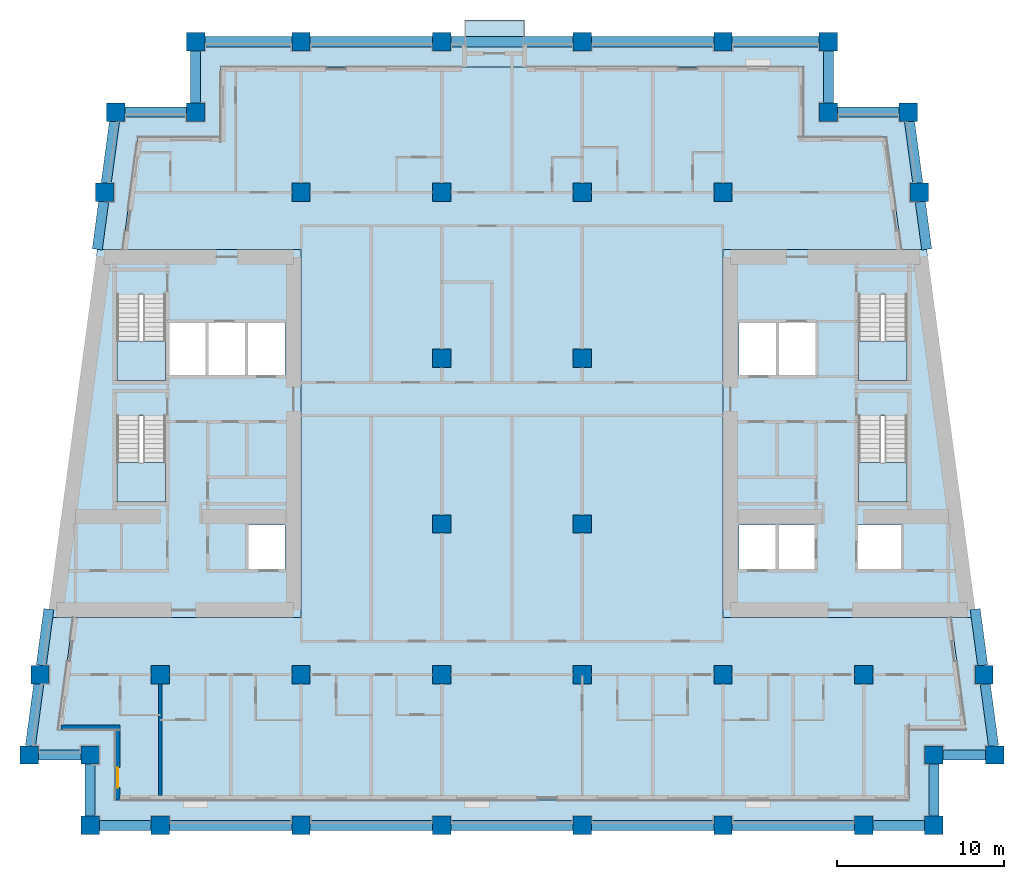
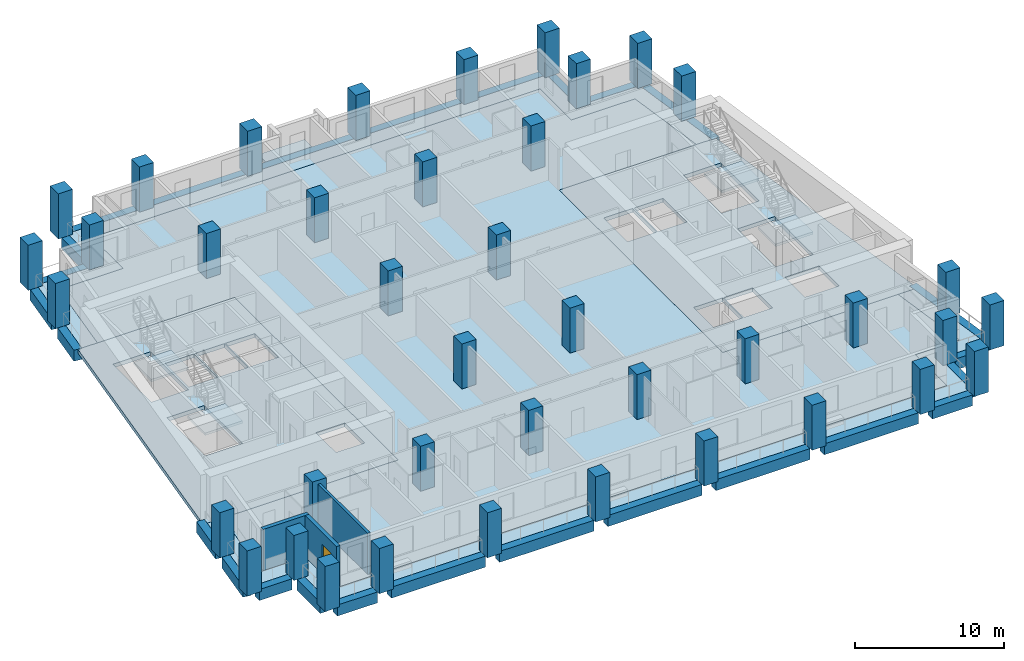
# One storey, part 1 of 13: 40 columns, 28 beams, 10 slabs, 3 walls, 1 door, 1 opening, 4 elements without a shape of their own.
"""IFC4 building model written with IfcOpenShell, lengths in metres."""

from ifc_helpers import new_model, si_unit, direction, frame, frame_2d, origin, origin_2d, place, context, subcontext, project, spatial, polyline, rectangle, outline, extrude, material, layer, layer_set, material_profile, profile_set, type_object, element, fill, aggregate, save


model = new_model("IFC4")

# Units and contexts
model_context = context("Model", 3, precision=1e-05, world=origin(), true_north=direction((0.0, 1.0)))
body_context = subcontext(model_context, "Body", "Model", "MODEL_VIEW")
ifc_project = project(units=[si_unit("LENGTHUNIT", "METRE"), si_unit("AREAUNIT", "SQUARE_METRE"), si_unit("VOLUMEUNIT", "CUBIC_METRE"), si_unit("PLANEANGLEUNIT", "RADIAN"), si_unit("MASSUNIT", "GRAM", prefix="KILO")], contexts=[model_context])

# Site, building, storey
site_placement = place(None, origin())
site = spatial("IfcSite", under=ifc_project, at=site_placement, CompositionType="ELEMENT")
building_placement = place(site_placement, origin())
building = spatial("IfcBuilding", under=site, at=building_placement, Name="Candeia Pilgrim Tower and Theatre", CompositionType="ELEMENT")
storey_placement = place(building_placement, frame((0.0, 0.0, 177.39990234375)))
storey = spatial("IfcBuildingStorey", under=building, at=storey_placement, Name="L42", CompositionType="ELEMENT", Elevation=177.39990234375)

# Columns
ifc_material_1 = material(Name="Concrete C60/75", Category="concrete")
ifc_material_profile_1 = material_profile(ifc_material_1, rectangle(XDim=1.10009765625, YDim=1.10009765625, at=origin_2d()))
ifc_profile_set_1 = profile_set([ifc_material_profile_1], Name="Concrete C60/75")
column_type = type_object("IfcColumnType", Name="RC 1100x1100 C60/75", PredefinedType="COLUMN", material=ifc_profile_set_1)
for number, where, z_axis, x_axis, name in (
    (1, (92.39990234375, 98.0, 0.0), (0.0, 0.0, 1.0), (1.0, 0.0, 0.0), "Column A1"),
    (2, (100.800048828125, 98.0, 0.0), (0.0, 0.0, 1.0), (1.0, 0.0, 0.0), "Column A2"),
    (3, (109.199951171875, 98.0, 0.0), (0.0, 0.0, 1.0), (1.0, 0.0, 0.0), "Column A3"),
    (4, (117.60009765625, 98.0, 0.0), (0.0, 0.0, 1.0), (1.0, 0.0, 0.0), "Column A4"),
    (5, (126.0, 98.0, 0.0), (0.0, 0.0, 1.0), (1.0, 0.0, 0.0), "Column A5"),
    (6, (134.39990234375, 98.0, 0.0), (0.0, 0.0, 1.0), (1.0, 0.0, 0.0), "Column A6"),
    (7, (88.199951171875, 98.0, 0.0), (0.0, 0.0, 1.0), (1.0, 0.0, 0.0), "Column AW"),
    (8, (138.60009765625, 98.0, 0.0), (0.0, 0.0, 1.0), (1.0, 0.0, 0.0), "Column AE"),
    (9, (88.199951171875, 102.199951171875, 0.0), (0.0, 0.0, 1.0), (1.0, 0.0, 0.0), "Column NSW"),
    (10, (138.60009765625, 102.199951171875, 0.0), (0.0, 0.0, 1.0), (1.0, 0.0, 0.0), "Column NSE"),
    (11, (94.5, 140.60009765625, 0.0), (0.0, 0.0, 1.0), (1.0, 0.0, 0.0), "Column NNW"),
    (12, (132.300048828125, 140.60009765625, 0.0), (0.0, 0.0, 1.0), (1.0, 0.0, 0.0), "Column NNE"),
    (13, (84.5654296875, 102.199951171875, 0.0), (0.0, 0.0, 1.0), (1.0, 0.0, 0.0), "Column LSW"),
    (14, (142.234619140625, 102.199951171875, 0.0), (0.0, 0.0, 1.0), (1.0, 0.0, 0.0), "Column LSE"),
    (15, (89.734619140625, 140.60009765625, 0.0), (0.0, 0.0, 1.0), (1.0, 0.0, 0.0), "Column LNW"),
    (16, (137.0654296875, 140.60009765625, 0.0), (0.0, 0.0, 1.0), (1.0, 0.0, 0.0), "Column LNE"),
    (17, (92.39990234375, 107.0, 0.0), (0.0, 0.0, 1.0), (1.0, 0.0, 0.0), "Column B1"),
    (18, (100.800048828125, 107.0, 0.0), (0.0, 0.0, 1.0), (1.0, 0.0, 0.0), "Column B2"),
    (19, (109.199951171875, 107.0, 0.0), (0.0, 0.0, 1.0), (1.0, 0.0, 0.0), "Column B3"),
    (20, (117.60009765625, 107.0, 0.0), (0.0, 0.0, 1.0), (1.0, 0.0, 0.0), "Column B4"),
    (21, (126.0, 107.0, 0.0), (0.0, 0.0, 1.0), (1.0, 0.0, 0.0), "Column B5"),
    (22, (134.39990234375, 107.0, 0.0), (0.0, 0.0, 1.0), (1.0, 0.0, 0.0), "Column B6"),
    (23, (85.21142578125, 107.0, 0.0), (0.0, 0.0, 1.0), (1.0, 0.0, 0.0), "Column BW"),
    (24, (141.58837890625, 107.0, 0.0), (0.0, 0.0, 1.0), (1.0, 0.0, 0.0), "Column BE"),
    (25, (109.199951171875, 116.0, 0.0), (0.0, 0.0, 1.0), (1.0, 0.0, 0.0), "Column C3"),
    (26, (117.60009765625, 116.0, 0.0), (0.0, 0.0, 1.0), (1.0, 0.0, 0.0), "Column C4"),
    (27, (109.199951171875, 125.89990234375, 0.0), (0.0, 0.0, 1.0), (1.0, 0.0, 0.0), "Column D3"),
    (28, (117.60009765625, 125.89990234375, 0.0), (0.0, 0.0, 1.0), (1.0, 0.0, 0.0), "Column D4"),
    (29, (100.800048828125, 135.800048828125, 0.0), (0.0, 0.0, 1.0), (1.0, 0.0, 0.0), "Column E2"),
    (30, (109.199951171875, 135.800048828125, 0.0), (0.0, 0.0, 1.0), (1.0, 0.0, 0.0), "Column E3"),
    (31, (117.60009765625, 135.800048828125, 0.0), (0.0, 0.0, 1.0), (1.0, 0.0, 0.0), "Column E4"),
    (32, (126.0, 135.800048828125, 0.0), (0.0, 0.0, 1.0), (1.0, 0.0, 0.0), "Column E5"),
    (33, (89.08837890625, 135.800048828125, 0.0), (0.0, 0.0, 1.0), (1.0, 0.0, 0.0), "Column EW"),
    (34, (137.71142578125, 135.800048828125, 0.0), (0.0, 0.0, 1.0), (1.0, 0.0, 0.0), "Column EE"),
    (35, (100.800048828125, 144.800048828125, 0.0), (0.0, 0.0, 1.0), (1.0, 0.0, 0.0), "Column F2"),
    (36, (109.199951171875, 144.800048828125, 0.0), (0.0, 0.0, 1.0), (1.0, 0.0, 0.0), "Column F3"),
    (37, (117.60009765625, 144.800048828125, 0.0), (0.0, 0.0, 1.0), (1.0, 0.0, 0.0), "Column F4"),
    (38, (126.0, 144.800048828125, 0.0), (0.0, 0.0, 1.0), (1.0, 0.0, 0.0), "Column F5"),
    (39, (94.5, 144.800048828125, 0.0), (0.0, 0.0, 1.0), (1.0, 0.0, 0.0), "Column FW"),
    (40, (132.300048828125, 144.800048828125, 0.0), (0.0, 0.0, 1.0), (1.0, 0.0, 0.0), "Column FE"),
):
    element("IfcColumn", number, at=place(storey_placement, frame(where, z_axis=z_axis, x_axis=x_axis)), inside=storey, type_object=column_type, Name=name, PredefinedType="COLUMN", context=body_context, shape_type="SweptSolid", body=[
        extrude(rectangle(XDim=1.10009765625, YDim=1.10009765625, at=origin_2d()), origin(), (0.0, 0.0, 1.0), 3.7001953125),
    ])

# Beams
ifc_material_profile_2 = material_profile(ifc_material_1, rectangle(XDim=0.60009765625, YDim=0.89990234375, at=origin_2d()))
ifc_profile_set_2 = profile_set([ifc_material_profile_2], Name="Concrete C60/75")
beam_type = type_object("IfcBeamType", Name="RC 600x900 C60/75", PredefinedType="BEAM", material=ifc_profile_set_2)
beam_1_placement = place(storey_placement, frame((88.75, 98.0, -0.449951171875), z_axis=(1.0, 0.0, 0.0), x_axis=(0.0, 1.0, 0.0)))
element("IfcBeam", 41, at=beam_1_placement, inside=storey, type_object=beam_type, Name="Spandrel beam L42-01", PredefinedType="BEAM", context=body_context, shape_type="SweptSolid", body=[
    extrude(rectangle(XDim=0.60009765625, YDim=0.89990234375, at=origin_2d()), origin(), (0.0, 0.0, 1.0), 3.10009765625),
])
beam_2_placement = place(storey_placement, frame((92.949951171875, 98.0, -0.449951171875), z_axis=(1.0, 0.0, 0.0), x_axis=(0.0, 1.0, 0.0)))
element("IfcBeam", 42, at=beam_2_placement, inside=storey, type_object=beam_type, Name="Spandrel beam L42-02", PredefinedType="BEAM", context=body_context, shape_type="SweptSolid", body=[
    extrude(rectangle(XDim=0.60009765625, YDim=0.89990234375, at=origin_2d()), origin(), (0.0, 0.0, 1.0), 7.300048828125),
])
beam_3_placement = place(storey_placement, frame((101.35009765625, 98.0, -0.449951171875), z_axis=(1.0, 0.0, 0.0), x_axis=(0.0, 1.0, 0.0)))
element("IfcBeam", 43, at=beam_3_placement, inside=storey, type_object=beam_type, Name="Spandrel beam L42-03", PredefinedType="BEAM", context=body_context, shape_type="SweptSolid", body=[
    extrude(rectangle(XDim=0.60009765625, YDim=0.89990234375, at=origin_2d()), origin(), (0.0, 0.0, 1.0), 7.2998046875),
])
for number, where, z_axis, x_axis, name in (
    (44, (109.75, 98.0, -0.449951171875), (1.0, 0.0, 0.0), (0.0, 1.0, 0.0), "Spandrel beam L42-04"),
    (45, (118.14990234375, 98.0, -0.449951171875), (1.0, 0.0, 0.0), (0.0, 1.0, 0.0), "Spandrel beam L42-05"),
    (46, (126.550048828125, 98.0, -0.449951171875), (1.0, 0.0, 0.0), (0.0, 1.0, 0.0), "Spandrel beam L42-06"),
):
    element("IfcBeam", number, at=place(storey_placement, frame(where, z_axis=z_axis, x_axis=x_axis)), inside=storey, type_object=beam_type, Name=name, PredefinedType="BEAM", context=body_context, shape_type="SweptSolid", body=[
        extrude(rectangle(XDim=0.60009765625, YDim=0.89990234375, at=origin_2d()), origin(), (0.0, 0.0, 1.0), 7.300048828125),
    ])
beam_4_placement = place(storey_placement, frame((134.949951171875, 98.0, -0.449951171875), z_axis=(1.0, 0.0, 0.0), x_axis=(0.0, 1.0, 0.0)))
element("IfcBeam", 47, at=beam_4_placement, inside=storey, type_object=beam_type, Name="Spandrel beam L42-07", PredefinedType="BEAM", context=body_context, shape_type="SweptSolid", body=[
    extrude(rectangle(XDim=0.60009765625, YDim=0.89990234375, at=origin_2d()), origin(), (0.0, 0.0, 1.0), 3.10009765625),
])
beam_5_placement = place(storey_placement, frame((138.60009765625, 98.550048828125, -0.449951171875), z_axis=(0.0, 1.0, 0.0), x_axis=(-1.0, 0.0, 0.0)))
element("IfcBeam", 48, at=beam_5_placement, inside=storey, type_object=beam_type, Name="Spandrel beam L42-08", PredefinedType="BEAM", context=body_context, shape_type="SweptSolid", body=[
    extrude(rectangle(XDim=0.60009765625, YDim=0.89990234375, at=origin_2d()), origin(), (0.0, 0.0, 1.0), 3.099853515625),
])
beam_6_placement = place(storey_placement, frame((139.14990234375, 102.199951171875, -0.449951171875), z_axis=(1.0, 0.0, 0.0), x_axis=(0.0, 1.0, 0.0)))
element("IfcBeam", 49, at=beam_6_placement, inside=storey, type_object=beam_type, Name="Spandrel beam L42-09", PredefinedType="BEAM", context=body_context, shape_type="SweptSolid", body=[
    extrude(rectangle(XDim=0.60009765625, YDim=0.89990234375, at=origin_2d()), origin(), (0.0, 0.0, 1.0), 2.53466796875),
])
beam_7_placement = place(storey_placement, frame((142.16064453125, 102.75, -0.449951171875), z_axis=(-0.133405836075, 0.991061492997, 0.0), x_axis=(-0.991061492997, -0.133405836075, 0.0)))
element("IfcBeam", 50, at=beam_7_placement, inside=storey, type_object=beam_type, Name="Spandrel beam L42-10", PredefinedType="BEAM", context=body_context, shape_type="SweptSolid", body=[
    extrude(rectangle(XDim=0.60009765625, YDim=0.89990234375, at=origin_2d()), origin(), (0.0, 0.0, 1.0), 3.7333984375),
])
beam_8_placement = place(storey_placement, frame((141.514404296875, 107.550048828125, -0.449951171875), z_axis=(-0.133432414187, 0.99105791498, 0.0), x_axis=(-0.99105791498, -0.133432414187, 0.0)))
element("IfcBeam", 51, at=beam_8_placement, inside=storey, type_object=beam_type, Name="Spandrel beam L42-11", PredefinedType="BEAM", context=body_context, shape_type="SweptSolid", body=[
    extrude(rectangle(XDim=0.60009765625, YDim=0.89990234375, at=origin_2d()), origin(), (0.0, 0.0, 1.0), 3.390380859375),
])
beam_9_placement = place(storey_placement, frame((138.169189453125, 132.39990234375, -0.449951171875), z_axis=(-0.133370319951, 0.99106627314, 0.0), x_axis=(-0.99106627314, -0.133370319951, 0.0)))
element("IfcBeam", 52, at=beam_9_placement, inside=storey, type_object=beam_type, Name="Spandrel beam L42-12", PredefinedType="BEAM", context=body_context, shape_type="SweptSolid", body=[
    extrude(rectangle(XDim=0.60009765625, YDim=0.89990234375, at=origin_2d()), origin(), (0.0, 0.0, 1.0), 2.875732421875),
])
beam_10_placement = place(storey_placement, frame((137.637451171875, 136.35009765625, -0.449951171875), z_axis=(-0.133405836075, 0.991061492997, 0.0), x_axis=(-0.991061492997, -0.133405836075, 0.0)))
element("IfcBeam", 53, at=beam_10_placement, inside=storey, type_object=beam_type, Name="Spandrel beam L42-13", PredefinedType="BEAM", context=body_context, shape_type="SweptSolid", body=[
    extrude(rectangle(XDim=0.60009765625, YDim=0.89990234375, at=origin_2d()), origin(), (0.0, 0.0, 1.0), 3.7333984375),
])
beam_11_placement = place(storey_placement, frame((136.515380859375, 140.60009765625, -0.449951171875), z_axis=(-1.0, 0.0, 0.0), x_axis=(0.0, -1.0, 0.0)))
element("IfcBeam", 54, at=beam_11_placement, inside=storey, type_object=beam_type, Name="Spandrel beam L42-14", PredefinedType="BEAM", context=body_context, shape_type="SweptSolid", body=[
    extrude(rectangle(XDim=0.60009765625, YDim=0.89990234375, at=origin_2d()), origin(), (0.0, 0.0, 1.0), 3.665283203125),
])
beam_12_placement = place(storey_placement, frame((132.300048828125, 141.14990234375, -0.449951171875), z_axis=(0.0, 1.0, 0.0), x_axis=(-1.0, 0.0, 0.0)))
element("IfcBeam", 55, at=beam_12_placement, inside=storey, type_object=beam_type, Name="Spandrel beam L42-15", PredefinedType="BEAM", context=body_context, shape_type="SweptSolid", body=[
    extrude(rectangle(XDim=0.60009765625, YDim=0.89990234375, at=origin_2d()), origin(), (0.0, 0.0, 1.0), 3.10009765625),
])
beam_13_placement = place(storey_placement, frame((131.75, 144.800048828125, -0.449951171875), z_axis=(-1.0, 0.0, 0.0), x_axis=(0.0, -1.0, 0.0)))
element("IfcBeam", 56, at=beam_13_placement, inside=storey, type_object=beam_type, Name="Spandrel beam L42-16", PredefinedType="BEAM", context=body_context, shape_type="SweptSolid", body=[
    extrude(rectangle(XDim=0.60009765625, YDim=0.89990234375, at=origin_2d()), origin(), (0.0, 0.0, 1.0), 5.199951171875),
])
for number, where, z_axis, x_axis, name in (
    (57, (125.449951171875, 144.800048828125, -0.449951171875), (-1.0, 0.0, 0.0), (0.0, -1.0, 0.0), "Spandrel beam L42-17"),
    (58, (117.050048828125, 144.800048828125, -0.449951171875), (-1.0, 0.0, 0.0), (0.0, -1.0, 0.0), "Spandrel beam L42-18"),
):
    element("IfcBeam", number, at=place(storey_placement, frame(where, z_axis=z_axis, x_axis=x_axis)), inside=storey, type_object=beam_type, Name=name, PredefinedType="BEAM", context=body_context, shape_type="SweptSolid", body=[
        extrude(rectangle(XDim=0.60009765625, YDim=0.89990234375, at=origin_2d()), origin(), (0.0, 0.0, 1.0), 7.300048828125),
    ])
beam_14_placement = place(storey_placement, frame((108.64990234375, 144.800048828125, -0.449951171875), z_axis=(-1.0, 0.0, 0.0), x_axis=(0.0, -1.0, 0.0)))
element("IfcBeam", 59, at=beam_14_placement, inside=storey, type_object=beam_type, Name="Spandrel beam L42-19", PredefinedType="BEAM", context=body_context, shape_type="SweptSolid", body=[
    extrude(rectangle(XDim=0.60009765625, YDim=0.89990234375, at=origin_2d()), origin(), (0.0, 0.0, 1.0), 7.2998046875),
])
beam_15_placement = place(storey_placement, frame((100.25, 144.800048828125, -0.449951171875), z_axis=(-1.0, 0.0, 0.0), x_axis=(0.0, -1.0, 0.0)))
element("IfcBeam", 60, at=beam_15_placement, inside=storey, type_object=beam_type, Name="Spandrel beam L42-20", PredefinedType="BEAM", context=body_context, shape_type="SweptSolid", body=[
    extrude(rectangle(XDim=0.60009765625, YDim=0.89990234375, at=origin_2d()), origin(), (0.0, 0.0, 1.0), 5.199951171875),
])
beam_16_placement = place(storey_placement, frame((94.5, 144.25, -0.449951171875), z_axis=(0.0, -1.0, 0.0), x_axis=(1.0, 0.0, 0.0)))
element("IfcBeam", 61, at=beam_16_placement, inside=storey, type_object=beam_type, Name="Spandrel beam L42-21", PredefinedType="BEAM", context=body_context, shape_type="SweptSolid", body=[
    extrude(rectangle(XDim=0.60009765625, YDim=0.89990234375, at=origin_2d()), origin(), (0.0, 0.0, 1.0), 3.10009765625),
])
beam_17_placement = place(storey_placement, frame((93.949951171875, 140.60009765625, -0.449951171875), z_axis=(-1.0, 0.0, 0.0), x_axis=(0.0, -1.0, 0.0)))
element("IfcBeam", 62, at=beam_17_placement, inside=storey, type_object=beam_type, Name="Spandrel beam L42-22", PredefinedType="BEAM", context=body_context, shape_type="SweptSolid", body=[
    extrude(rectangle(XDim=0.60009765625, YDim=0.89990234375, at=origin_2d()), origin(), (0.0, 0.0, 1.0), 3.665283203125),
])
beam_18_placement = place(storey_placement, frame((89.66064453125, 140.050048828125, -0.449951171875), z_axis=(-0.133405836075, -0.991061492997, 0.0), x_axis=(0.991061492997, -0.133405836075, 0.0)))
element("IfcBeam", 63, at=beam_18_placement, inside=storey, type_object=beam_type, Name="Spandrel beam L42-23", PredefinedType="BEAM", context=body_context, shape_type="SweptSolid", body=[
    extrude(rectangle(XDim=0.60009765625, YDim=0.89990234375, at=origin_2d()), origin(), (0.0, 0.0, 1.0), 3.7333984375),
])
beam_19_placement = place(storey_placement, frame((89.014404296875, 135.25, -0.449951171875), z_axis=(-0.133370319951, -0.99106627314, 0.0), x_axis=(0.99106627314, -0.133370319951, 0.0)))
element("IfcBeam", 64, at=beam_19_placement, inside=storey, type_object=beam_type, Name="Spandrel beam L42-24", PredefinedType="BEAM", context=body_context, shape_type="SweptSolid", body=[
    extrude(rectangle(XDim=0.60009765625, YDim=0.89990234375, at=origin_2d()), origin(), (0.0, 0.0, 1.0), 2.875732421875),
])
beam_20_placement = place(storey_placement, frame((85.73779296875, 110.91015625, -0.449951171875), z_axis=(-0.133361686371, -0.991067434945, 0.0), x_axis=(0.991067434945, -0.133361686371, 0.0)))
element("IfcBeam", 65, at=beam_20_placement, inside=storey, type_object=beam_type, Name="Spandrel beam L42-25", PredefinedType="BEAM", context=body_context, shape_type="SweptSolid", body=[
    extrude(rectangle(XDim=0.60009765625, YDim=0.89990234375, at=origin_2d()), origin(), (0.0, 0.0, 1.0), 3.390380859375),
])
beam_21_placement = place(storey_placement, frame((85.137451171875, 106.449951171875, -0.449951171875), z_axis=(-0.133405836075, -0.991061492997, 0.0), x_axis=(0.991061492997, -0.133405836075, 0.0)))
element("IfcBeam", 66, at=beam_21_placement, inside=storey, type_object=beam_type, Name="Spandrel beam L42-26", PredefinedType="BEAM", context=body_context, shape_type="SweptSolid", body=[
    extrude(rectangle(XDim=0.60009765625, YDim=0.89990234375, at=origin_2d()), origin(), (0.0, 0.0, 1.0), 3.7333984375),
])
beam_22_placement = place(storey_placement, frame((85.115478515625, 102.199951171875, -0.449951171875), z_axis=(1.0, 0.0, 0.0), x_axis=(0.0, 1.0, 0.0)))
element("IfcBeam", 67, at=beam_22_placement, inside=storey, type_object=beam_type, Name="Spandrel beam L42-27", PredefinedType="BEAM", context=body_context, shape_type="SweptSolid", body=[
    extrude(rectangle(XDim=0.60009765625, YDim=0.89990234375, at=origin_2d()), origin(), (0.0, 0.0, 1.0), 2.534423828125),
])
beam_23_placement = place(storey_placement, frame((88.199951171875, 101.64990234375, -0.449951171875), z_axis=(0.0, -1.0, 0.0), x_axis=(1.0, 0.0, 0.0)))
element("IfcBeam", 68, at=beam_23_placement, inside=storey, type_object=beam_type, Name="Spandrel beam L42-28", PredefinedType="BEAM", context=body_context, shape_type="SweptSolid", body=[
    extrude(rectangle(XDim=0.60009765625, YDim=0.89990234375, at=origin_2d()), origin(), (0.0, 0.0, 1.0), 3.099853515625),
])

# Slabs
ifc_material_2 = material(Name="Concrete C40/50", Category="concrete")
ifc_layer_1 = layer(ifc_material_2, 0.25)
ifc_layer_set_1 = layer_set([ifc_layer_1], Name="BK1 balcony slab 250")
slab_type_1 = type_object("IfcSlabType", Name="BK1 balcony slab 250", PredefinedType="USERDEFINED", material=ifc_layer_set_1)
slab_1_placement = place(storey_placement, frame((0.0, 0.0, -0.25)))
element("IfcSlab", 69, at=slab_1_placement, inside=storey, type_object=slab_type_1, Name="Balcony L42", ObjectType="BALCONY", PredefinedType="USERDEFINED", context=body_context, shape_type="SweptSolid", body=[
    extrude(outline(polyline([(110.550048828125, 144.5), (114.14990234375, 144.5), (114.14990234375, 146.10009765625), (110.550048828125, 146.10009765625), (110.550048828125, 144.5)])), origin(), (0.0, 0.0, 1.0), 0.25),
])
ifc_layer_2 = layer(ifc_material_1, 0.320068359375)
ifc_layer_set_2 = layer_set([ifc_layer_2], Name="FS-CORE 320 core floor")
slab_type_2 = type_object("IfcSlabType", Name="FS-CORE 320 core floor", PredefinedType="FLOOR", material=ifc_layer_set_2)
slab_2_placement = place(storey_placement, frame((0.0, 0.0, -0.31982421875)))
element("IfcSlab", 70, at=slab_2_placement, inside=storey, type_object=slab_type_2, Name="Core floor W L42", PredefinedType="FLOOR", context=body_context, shape_type="SweptSolid", body=[
    extrude(outline(polyline([(100.800048828125, 132.39990234375), (100.800048828125, 110.39990234375), (85.669189453125, 110.39990234375), (88.630859375, 132.39990234375), (100.800048828125, 132.39990234375)]), holes=[polyline([(97.59228515625, 128.050048828125), (97.59228515625, 124.85009765625), (99.85009765625, 124.85009765625), (99.85009765625, 128.050048828125), (97.59228515625, 128.050048828125)]), polyline([(97.613525390625, 113.25), (99.85009765625, 113.25), (99.85009765625, 115.949951171875), (97.613525390625, 115.949951171875), (97.613525390625, 113.25)]), polyline([(95.234619140625, 124.85009765625), (97.4921875, 124.85009765625), (97.4921875, 128.050048828125), (95.234619140625, 128.050048828125), (95.234619140625, 124.85009765625)]), polyline([(92.876953125, 128.050048828125), (92.876953125, 124.85009765625), (95.134765625, 124.85009765625), (95.134765625, 128.050048828125), (92.876953125, 128.050048828125)]), polyline([(89.802001953125, 122.455078125), (89.802001953125, 117.324951171875), (92.701904296875, 117.324951171875), (92.701904296875, 122.455078125), (89.802001953125, 122.455078125)]), polyline([(89.802001953125, 129.705078125), (89.802001953125, 124.574951171875), (92.701904296875, 124.574951171875), (92.701904296875, 129.705078125), (89.802001953125, 129.705078125)])]), origin(), (0.0, 0.0, 1.0), 0.31982421875),
])
slab_3_placement = place(storey_placement, frame((0.0, 0.0, -0.31982421875)))
element("IfcSlab", 71, at=slab_3_placement, inside=storey, type_object=slab_type_2, Name="Core floor E L42", PredefinedType="FLOOR", context=body_context, shape_type="SweptSolid", body=[
    extrude(outline(polyline([(138.169189453125, 132.39990234375), (141.130859375, 110.39990234375), (126.0, 110.39990234375), (126.0, 132.39990234375), (138.169189453125, 132.39990234375)]), holes=[polyline([(134.097900390625, 122.455078125), (134.097900390625, 117.324951171875), (136.998046875, 117.324951171875), (136.998046875, 122.455078125), (134.097900390625, 122.455078125)]), polyline([(134.097900390625, 129.705078125), (134.097900390625, 124.574951171875), (136.998046875, 124.574951171875), (136.998046875, 129.705078125), (134.097900390625, 129.705078125)]), polyline([(136.672607421875, 115.949951171875), (134.02294921875, 115.949951171875), (134.02294921875, 113.25), (136.672607421875, 113.25), (136.672607421875, 115.949951171875)]), polyline([(131.565185546875, 128.050048828125), (129.3076171875, 128.050048828125), (129.3076171875, 124.85009765625), (131.565185546875, 124.85009765625), (131.565185546875, 128.050048828125)]), polyline([(131.52294921875, 115.949951171875), (129.28662109375, 115.949951171875), (129.28662109375, 113.25), (131.52294921875, 113.25), (131.52294921875, 115.949951171875)]), polyline([(129.207763671875, 128.050048828125), (126.949951171875, 128.050048828125), (126.949951171875, 124.85009765625), (129.207763671875, 124.85009765625), (129.207763671875, 128.050048828125)]), polyline([(126.949951171875, 115.949951171875), (126.949951171875, 113.25), (129.1865234375, 113.25), (129.1865234375, 115.949951171875), (126.949951171875, 115.949951171875)])]), origin(), (0.0, 0.0, 1.0), 0.31982421875),
])
ifc_material_3 = material(Name="Concrete C50/60", Category="concrete")
ifc_layer_3 = layer(ifc_material_3, 0.320068359375)
ifc_layer_set_3 = layer_set([ifc_layer_3], Name="Floor slab 320 C50/60")
slab_type_3 = type_object("IfcSlabType", Name="Floor slab 320 C50/60", PredefinedType="FLOOR", material=ifc_layer_set_3)
slab_4_placement = place(storey_placement, frame((0.0, 0.0, -0.31982421875)))
element("IfcSlab", 72, at=slab_4_placement, inside=storey, type_object=slab_type_3, Name="Floor slab L42", PredefinedType="FLOOR", context=body_context, shape_type="SweptSolid", body=[
    extrude(outline(polyline([(96.0, 139.10009765625), (96.0, 143.300048828125), (130.800048828125, 143.300048828125), (130.800048828125, 139.10009765625), (135.753662109375, 139.10009765625), (136.65576171875, 132.39990234375), (126.0, 132.39990234375), (126.0, 110.39990234375), (139.6171875, 110.39990234375), (140.51904296875, 103.699951171875), (137.10009765625, 103.699951171875), (137.10009765625, 99.5), (89.699951171875, 99.5), (89.699951171875, 103.699951171875), (86.28076171875, 103.699951171875), (87.182861328125, 110.39990234375), (100.800048828125, 110.39990234375), (100.800048828125, 132.39990234375), (90.144287109375, 132.39990234375), (91.046142578125, 139.10009765625), (96.0, 139.10009765625)])), origin(), (0.0, 0.0, 1.0), 0.31982421875),
])
ifc_layer_4 = layer(ifc_material_2, 0.25)
ifc_layer_set_4 = layer_set([ifc_layer_4], Name="Loggia slab 250 C40/50")
slab_type_4 = type_object("IfcSlabType", Name="Loggia slab 250 C40/50", PredefinedType="FLOOR", material=ifc_layer_set_4)
slab_5_placement = place(storey_placement, frame((0.0, 0.0, -0.25)))
element("IfcSlab", 73, at=slab_5_placement, inside=storey, type_object=slab_type_4, Name="Loggia slab L42 1", PredefinedType="FLOOR", context=body_context, shape_type="SweptSolid", body=[
    extrude(outline(polyline([(87.182861328125, 110.39990234375), (86.28076171875, 103.699951171875), (89.699951171875, 103.699951171875), (89.699951171875, 99.5), (137.10009765625, 99.5), (137.10009765625, 103.699951171875), (140.51904296875, 103.699951171875), (139.6171875, 110.39990234375), (140.828125, 110.39990234375), (141.8916015625, 102.5), (138.300048828125, 102.5), (138.300048828125, 98.300048828125), (88.5, 98.300048828125), (88.5, 102.5), (84.908447265625, 102.5), (85.971923828125, 110.39990234375), (87.182861328125, 110.39990234375)])), origin(), (0.0, 0.0, 1.0), 0.25),
])
slab_6_placement = place(storey_placement, frame((0.0, 0.0, -0.25)))
element("IfcSlab", 74, at=slab_6_placement, inside=storey, type_object=slab_type_4, Name="Loggia slab L42 2", PredefinedType="FLOOR", context=body_context, shape_type="SweptSolid", body=[
    extrude(outline(polyline([(136.65576171875, 132.39990234375), (135.753662109375, 139.10009765625), (130.800048828125, 139.10009765625), (130.800048828125, 143.300048828125), (96.0, 143.300048828125), (96.0, 139.10009765625), (91.046142578125, 139.10009765625), (90.144287109375, 132.39990234375), (88.93359375, 132.39990234375), (89.996826171875, 140.300048828125), (94.800048828125, 140.300048828125), (94.800048828125, 144.5), (132.0, 144.5), (132.0, 140.300048828125), (136.802978515625, 140.300048828125), (137.866455078125, 132.39990234375), (136.65576171875, 132.39990234375)])), origin(), (0.0, 0.0, 1.0), 0.25),
])

# Stair, slab
stair_type = type_object("IfcStairType", Name="ST-TWR dog-leg escape stair", PredefinedType="HALF_TURN_STAIR", material=ifc_material_2)
stair_1_placement = place(storey_placement, origin())
stair_1 = element("IfcStair", 75, at=stair_1_placement, inside=storey, type_object=stair_type, Name="L42 Escape stair ST1", PredefinedType="HALF_TURN_STAIR")
ifc_layer_5 = layer(ifc_material_2, 0.199951171875)
ifc_layer_set_5 = layer_set([ifc_layer_5], Name="SL-LANDING stair landing")
slab_type_5 = type_object("IfcSlabType", Name="SL-LANDING stair landing", PredefinedType="LANDING", material=ifc_layer_set_5)
slab_7_placement = place(storey_placement, frame((0.0, 0.0, 1.650146484375)))
slab_7 = element("IfcSlab", 76, at=slab_7_placement, type_object=slab_type_5, Name="ST1 landing 1", PredefinedType="LANDING", context=body_context, shape_type="SweptSolid", body=[
    extrude(outline(polyline([(89.802001953125, 119.675048828125), (89.802001953125, 117.324951171875), (92.701904296875, 117.324951171875), (92.701904296875, 119.675048828125), (89.802001953125, 119.675048828125)])), origin(), (0.0, 0.0, 1.0), 0.199951171875),
])
aggregate(stair_1, [slab_7])

stair_2_placement = place(storey_placement, origin())
stair_2 = element("IfcStair", 77, at=stair_2_placement, inside=storey, type_object=stair_type, Name="L42 Escape stair ST2", PredefinedType="HALF_TURN_STAIR")
slab_8_placement = place(storey_placement, frame((0.0, 0.0, 1.650146484375)))
slab_8 = element("IfcSlab", 78, at=slab_8_placement, type_object=slab_type_5, Name="ST2 landing 1", PredefinedType="LANDING", context=body_context, shape_type="SweptSolid", body=[
    extrude(outline(polyline([(89.802001953125, 126.925048828125), (89.802001953125, 124.574951171875), (92.701904296875, 124.574951171875), (92.701904296875, 126.925048828125), (89.802001953125, 126.925048828125)])), origin(), (0.0, 0.0, 1.0), 0.199951171875),
])
aggregate(stair_2, [slab_8])

stair_3_placement = place(storey_placement, origin())
stair_3 = element("IfcStair", 79, at=stair_3_placement, inside=storey, type_object=stair_type, Name="L42 Escape stair ST3", PredefinedType="HALF_TURN_STAIR")
slab_9_placement = place(storey_placement, frame((0.0, 0.0, 1.650146484375)))
slab_9 = element("IfcSlab", 80, at=slab_9_placement, type_object=slab_type_5, Name="ST3 landing 1", PredefinedType="LANDING", context=body_context, shape_type="SweptSolid", body=[
    extrude(outline(polyline([(134.097900390625, 119.675048828125), (134.097900390625, 117.324951171875), (136.998046875, 117.324951171875), (136.998046875, 119.675048828125), (134.097900390625, 119.675048828125)])), origin(), (0.0, 0.0, 1.0), 0.199951171875),
])
aggregate(stair_3, [slab_9])

stair_4_placement = place(storey_placement, origin())
stair_4 = element("IfcStair", 81, at=stair_4_placement, inside=storey, type_object=stair_type, Name="L42 Escape stair ST4", PredefinedType="HALF_TURN_STAIR")
slab_10_placement = place(storey_placement, frame((0.0, 0.0, 1.650146484375)))
slab_10 = element("IfcSlab", 82, at=slab_10_placement, type_object=slab_type_5, Name="ST4 landing 1", PredefinedType="LANDING", context=body_context, shape_type="SweptSolid", body=[
    extrude(outline(polyline([(134.097900390625, 126.925048828125), (134.097900390625, 124.574951171875), (136.998046875, 124.574951171875), (136.998046875, 126.925048828125), (134.097900390625, 126.925048828125)])), origin(), (0.0, 0.0, 1.0), 0.199951171875),
])
aggregate(stair_4, [slab_10])

# Wall
ifc_material_4 = material(Name="Ceramic block masonry", Category="masonry")
ifc_layer_6 = layer(ifc_material_4, 0.300048828125)
ifc_layer_set_6 = layer_set([ifc_layer_6], Name="EW1 glazing-line wall 300")
wall_type_1 = type_object("IfcWallType", Name="EW1 glazing-line wall 300", PredefinedType="SOLIDWALL", material=ifc_layer_set_6)
wall_1_placement = place(storey_placement, frame((86.452392578125, 103.85009765625, 0.0), z_axis=(0.0, 0.0, 1.0), x_axis=(1.0, 0.0, 0.0)))
element("IfcWall", 83, at=wall_1_placement, inside=storey, type_object=wall_type_1, Name="External wall L42-10.0", PredefinedType="SOLIDWALL", context=body_context, shape_type="SweptSolid", body=[
    extrude(rectangle(XDim=3.547607421875, YDim=0.300048828125, at=frame_2d((1.77392578125, 0.0))), origin(), (0.0, 0.0, 1.0), 3.380126953125),
])

# Wall, opening, door
wall_2_placement = place(storey_placement, frame((89.85009765625, 103.85009765625, 0.0), z_axis=(0.0, 0.0, 1.0), x_axis=(0.0, -1.0, 0.0)))
wall_2 = element("IfcWall", 84, at=wall_2_placement, inside=storey, type_object=wall_type_1, Name="External wall L42-11.0", PredefinedType="SOLIDWALL", context=body_context, shape_type="SweptSolid", body=[
    extrude(rectangle(XDim=4.35009765625, YDim=0.300048828125, at=frame_2d((2.175048828125, 0.0))), origin(), (0.0, 0.0, 1.0), 3.380126953125),
])
opening_placement = place(wall_2_placement, frame((2.39990234375, 0.0, 0.0)))
opening = element("IfcOpeningElement", 85, at=opening_placement, cuts=wall_2, Name="Opening L42-ED410", PredefinedType="OPENING", context=body_context, shape_type="SweptSolid", body=[
    extrude(rectangle(XDim=1.199951171875, YDim=2.39990234375, at=frame_2d((0.60009765625, 1.199951171875))), frame((0.0, 0.16015625, 0.0), z_axis=(0.0, -1.0, 0.0), x_axis=(1.0, 0.0, 0.0)), (0.0, 0.0, 1.0), 0.320068359375),
])
ifc_material_5 = material(Name="Aluminium framed glazed door", Category="aluminium")
door_type = type_object("IfcDoorType", Name="Loggia door 1200x2400", OperationType="DOUBLE_DOOR_SINGLE_SWING", PredefinedType="DOOR", material=ifc_material_5)
door_placement = place(opening_placement, origin())
door = element("IfcDoor", 86, at=door_placement, inside=storey, type_object=door_type, Name="Loggia door L42-ED410", OperationType="DOUBLE_DOOR_SINGLE_SWING", OverallHeight=2.39990234375, OverallWidth=1.199951171875, PredefinedType="DOOR", context=body_context, shape_type="SweptSolid", body=[
    extrude(rectangle(XDim=1.199951171875, YDim=2.39990234375, at=frame_2d((0.60009765625, 1.199951171875))), frame((0.0, 0.02490234375, 0.0), z_axis=(0.0, -1.0, 0.0), x_axis=(1.0, 0.0, 0.0)), (0.0, 0.0, 1.0), 0.050048828125),
])
fill(opening, door)

# Wall
ifc_material_6 = material(Name="Gypsum board partition on steel studs", Category="steel")
ifc_layer_7 = layer(ifc_material_6, 0.199951171875)
ifc_layer_set_7 = layer_set([ifc_layer_7], Name="PW-200 party wall")
wall_type_2 = type_object("IfcWallType", Name="PW-200 party wall", PredefinedType="PARTITIONING", material=ifc_layer_set_7)
wall_3_placement = place(storey_placement, frame((92.39990234375, 99.7900390625, 0.0), z_axis=(0.0, 0.0, 1.0), x_axis=(0.0, 1.0, 0.0)))
element("IfcWall", 87, at=wall_3_placement, inside=storey, type_object=wall_type_2, Name="Party wall L42-057", PredefinedType="PARTITIONING", context=body_context, shape_type="SweptSolid", body=[
    extrude(rectangle(XDim=7.135009765625, YDim=0.199951171875, at=frame_2d((3.5673828125, 0.0))), origin(), (0.0, 0.0, 1.0), 3.380126953125),
])

save(model, "model.ifc")
